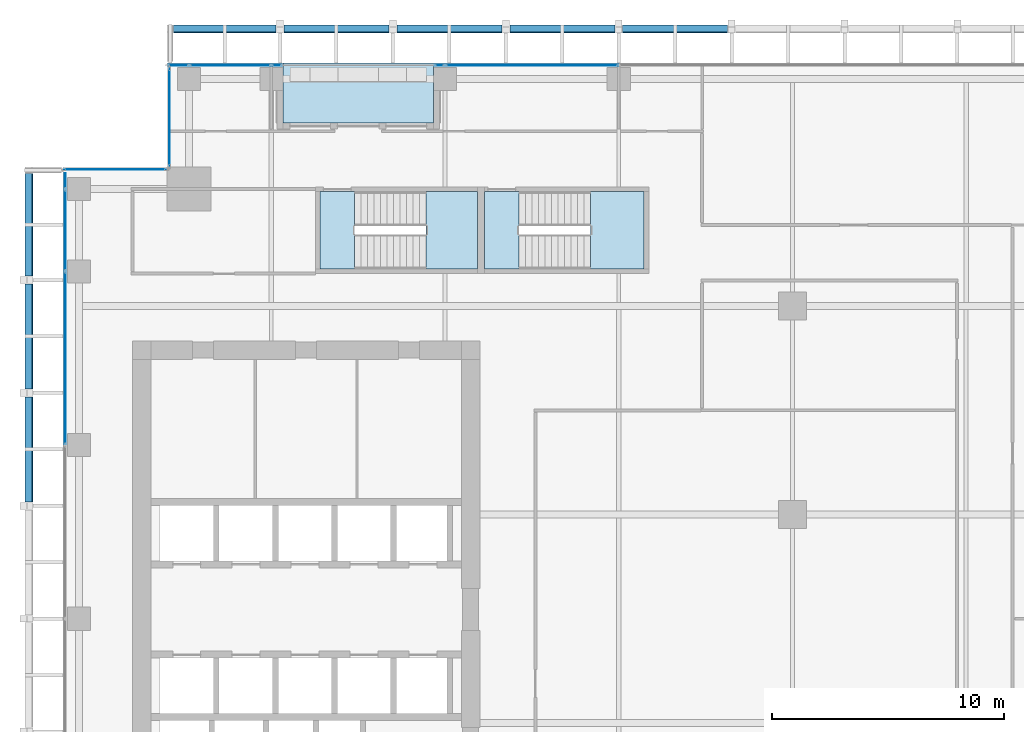
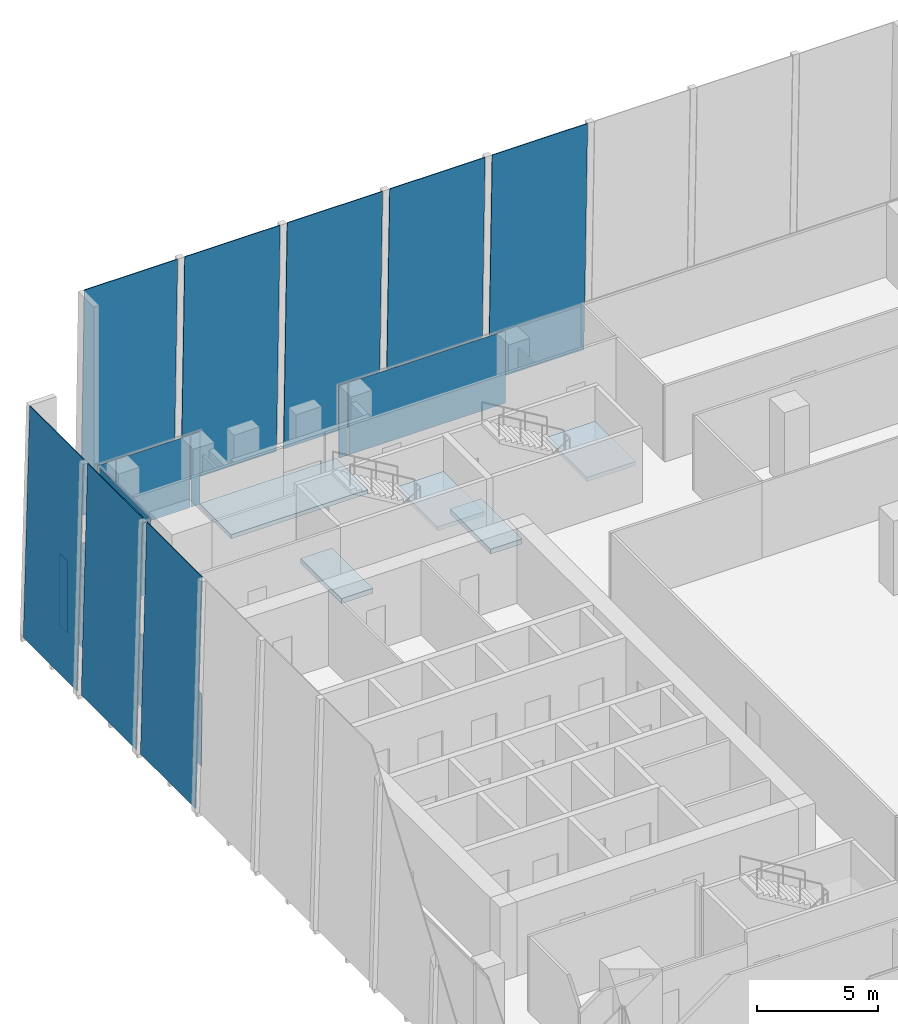
# One storey, part 26 of 35: 18 plates, 5 slabs, 7 elements without a shape of their own.
"""IFC4 building model written with IfcOpenShell, lengths in metres."""

from ifc_helpers import new_model, si_unit, direction, frame, origin, origin_2d, place, context, subcontext, project, spatial, polyline, rectangle, outline, extrude, source, transform, mapped, material, layer, layer_set, type_object, element, aggregate, save


model = new_model("IFC4")

# Units and contexts
model_context = context("Model", 3, precision=1e-05, world=origin(), true_north=direction((0.0, 1.0)))
body_context = subcontext(model_context, "Body", "Model", "MODEL_VIEW")
ifc_project = project(units=[si_unit("LENGTHUNIT", "METRE"), si_unit("AREAUNIT", "SQUARE_METRE"), si_unit("VOLUMEUNIT", "CUBIC_METRE"), si_unit("PLANEANGLEUNIT", "RADIAN"), si_unit("MASSUNIT", "GRAM", prefix="KILO")], contexts=[model_context])

# Site, building, storey
site_placement = place(None, origin())
site = spatial("IfcSite", under=ifc_project, at=site_placement, CompositionType="ELEMENT")
building_placement = place(site_placement, origin())
building = spatial("IfcBuilding", under=site, at=building_placement, Name="Khomas Fold Tower", CompositionType="ELEMENT")
storey_placement = place(building_placement, frame((0.0, 0.0, 200.699951171875)))
storey = spatial("IfcBuildingStorey", under=building, at=storey_placement, Name="L44", CompositionType="ELEMENT", Elevation=200.699951171875)

# Plates
ifc_material_1 = material(Name="Clear laminated glass", Category="glass")
ifc_layer_1 = layer(ifc_material_1, 0.0400390625)
ifc_layer_set_1 = layer_set([ifc_layer_1], Name="Clear laminated glass")
plate_type_1 = type_object("IfcPlateType", Name="SK-Clear laminated glass leaf", PredefinedType="SHEET", material=ifc_layer_set_1)
plate_1_placement = place(storey_placement, frame((7.77001953125, 52.642333984375, 0.0009765625), z_axis=(0.0, 0.999657230839, 0.026180543005), x_axis=(1.0, 0.0, 0.0)))
element("IfcPlate", 1, at=plate_1_placement, inside=storey, type_object=plate_type_1, Name="OUTER SKIN glass L44 N1", PredefinedType="SHEET", context=body_context, shape_type="SweptSolid", body=[
    extrude(outline(polyline([(0.0, 0.0), (4.43505859375, 0.0), (4.43505859375, -11.554009186164079), (0.0, -11.554009186164079), (0.0, 0.0)])), origin(), (0.0, 0.0, -1.0), 0.0400390625),
])
for number, where, z_axis, x_axis, name in (
    (2, (12.544921875, 52.642333984375, 0.0009765625), (0.0, 0.999657230839, 0.026180543005), (1.0, 0.0, 0.0), "OUTER SKIN glass L44 N3"),
    (3, (17.419921875, 52.642333984375, 0.0009765625), (0.0, 0.999657230839, 0.026180543005), (1.0, 0.0, 0.0), "OUTER SKIN glass L44 N5"),
    (4, (22.294921875, 52.642333984375, 0.0009765625), (0.0, 0.999657230839, 0.026180543005), (1.0, 0.0, 0.0), "OUTER SKIN glass L44 N7"),
    (5, (27.169921875, 52.642333984375, 0.0009765625), (0.0, 0.999657230839, 0.026180543005), (1.0, 0.0, 0.0), "OUTER SKIN glass L44 N9"),
    (6, (1.357666015625, 32.044921875, 0.0009765625), (-0.999657230839, 0.0, 0.026180543005), (0.0, 1.0, 0.0), "OUTER SKIN glass L44 W11"),
    (7, (1.357666015625, 36.919921875, 0.0009765625), (-0.999657230839, 0.0, 0.026180543005), (0.0, 1.0, 0.0), "OUTER SKIN glass L44 W13"),
):
    element("IfcPlate", number, at=place(storey_placement, frame(where, z_axis=z_axis, x_axis=x_axis)), inside=storey, type_object=plate_type_1, Name=name, PredefinedType="SHEET", context=body_context, shape_type="SweptSolid", body=[
        extrude(outline(polyline([(0.0, 0.0), (4.53515625, 0.0), (4.53515625, -11.554009186164079), (0.0, -11.554009186164079), (0.0, 0.0)])), origin(), (0.0, 0.0, -1.0), 0.0400390625),
    ])
plate_2_placement = place(storey_placement, frame((1.357666015625, 41.794921875, 0.0009765625), z_axis=(-0.999657230839, 0.0, 0.026180543005), x_axis=(0.0, 1.0, 0.0)))
element("IfcPlate", 8, at=plate_2_placement, inside=storey, type_object=plate_type_1, Name="OUTER SKIN glass L44 W15", PredefinedType="SHEET", context=body_context, shape_type="SweptSolid", body=[
    extrude(outline(polyline([(0.0, 0.0), (4.43505859375, 0.0), (4.43505859375, -11.554009186164079), (0.0, -11.554009186164079), (0.0, 0.0)])), origin(), (0.0, 0.0, -1.0), 0.0400390625),
])

# Curtain wall, plate
ifc_material_2 = material(Name="Aluminium framed double glazing", Category="aluminium")
curtain_wall_type = type_object("IfcCurtainWallType", Name="SK-Unitised clear-glass wall, office floors CW2", PredefinedType="NOTDEFINED", material=ifc_material_2)
curtain_wall_1_placement = place(storey_placement, origin())
curtain_wall_1 = element("IfcCurtainWall", 9, at=curtain_wall_1_placement, inside=storey, type_object=curtain_wall_type, Name="CW2 corner return L44 08", PredefinedType="NOTDEFINED")
ifc_material_3 = material(Name="Clear double glazed unit")
ifc_layer_2 = layer(ifc_material_3, 0.030029296875)
ifc_layer_set_2 = layer_set([ifc_layer_2], Name="Clear double glazed unit")
plate_type_2 = type_object("IfcPlateType", Name="SK-Unitised clear-glass wall, office floors glass panel CW2-P", PredefinedType="CURTAIN_PANEL", material=ifc_layer_set_2)
shared_shape_1 = source(origin(), body_context, "Body", "SweptSolid", [
    extrude(rectangle(XDim=4.3798828125, YDim=0.030029296875, at=origin_2d()), origin(), (0.0, 0.0, 1.0), 3.639892578125),
])
plate_3_placement = place(storey_placement, frame((5.25, 46.39990234375, 0.0), z_axis=(0.0, 0.0, 1.0), x_axis=(-1.0, 0.0, 0.0)))
plate_3 = element("IfcPlate", 10, at=plate_3_placement, type_object=plate_type_2, Name="CW2 glass panel 1", PredefinedType="CURTAIN_PANEL", context=body_context, shape_type="MappedRepresentation", body=[
    mapped(shared_shape_1, transform((0.0, 0.0, 0.0))),
])
aggregate(curtain_wall_1, [plate_3])

curtain_wall_2_placement = place(storey_placement, origin())
curtain_wall_2 = element("IfcCurtainWall", 11, at=curtain_wall_2_placement, inside=storey, type_object=curtain_wall_type, Name="CW2 run L44 09-0", PredefinedType="NOTDEFINED")
shared_shape_2 = source(origin(), body_context, "Body", "SweptSolid", [
    extrude(rectangle(XDim=0.659912109375, YDim=0.030029296875, at=origin_2d()), origin(), (0.0, 0.0, 1.0), 3.639892578125),
])
plate_4_placement = place(storey_placement, frame((3.10009765625, 45.909912109375, 0.0), z_axis=(0.0, 0.0, 1.0), x_axis=(0.0, -1.0, 0.0)))
plate_4 = element("IfcPlate", 12, at=plate_4_placement, type_object=plate_type_2, Name="CW2 glass panel 1", PredefinedType="CURTAIN_PANEL", context=body_context, shape_type="MappedRepresentation", body=[
    mapped(shared_shape_2, transform((0.0, 0.0, 0.0))),
])

curtain_wall_3_placement = place(storey_placement, origin())
curtain_wall_3 = element("IfcCurtainWall", 13, at=curtain_wall_3_placement, inside=storey, type_object=curtain_wall_type, Name="CW2 run L44 06-1", PredefinedType="NOTDEFINED")
shared_shape_3 = source(origin(), body_context, "Body", "SweptSolid", [
    extrude(rectangle(XDim=3.489990234375, YDim=0.030029296875, at=origin_2d()), origin(), (0.0, 0.0, 1.0), 3.639892578125),
])
plate_5_placement = place(storey_placement, frame((10.22509765625, 50.89990234375, 0.0), z_axis=(0.0, 0.0, 1.0), x_axis=(-1.0, 0.0, 0.0)))
plate_5 = element("IfcPlate", 14, at=plate_5_placement, type_object=plate_type_2, Name="CW2 glass panel 2", PredefinedType="CURTAIN_PANEL", context=body_context, shape_type="MappedRepresentation", body=[
    mapped(shared_shape_3, transform((0.0, 0.0, 0.0))),
])

# Plate
plate_6_placement = place(storey_placement, frame((3.10009765625, 43.77490234375, 0.0), z_axis=(0.0, 0.0, 1.0), x_axis=(0.0, -1.0, 0.0)))
plate_6 = element("IfcPlate", 15, at=plate_6_placement, type_object=plate_type_2, Name="CW2 glass panel 2", PredefinedType="CURTAIN_PANEL", context=body_context, shape_type="MappedRepresentation", body=[
    mapped(shared_shape_3, transform((0.0, 0.0, 0.0))),
])

# Curtain wall, plate
curtain_wall_4_placement = place(storey_placement, origin())
curtain_wall_4 = element("IfcCurtainWall", 16, at=curtain_wall_4_placement, inside=storey, type_object=curtain_wall_type, Name="CW2 run L44 06-0", PredefinedType="NOTDEFINED")
shared_shape_4 = source(origin(), body_context, "Body", "SweptSolid", [
    extrude(rectangle(XDim=7.43994140625, YDim=0.030029296875, at=origin_2d()), origin(), (0.0, 0.0, 1.0), 3.639892578125),
])
plate_7_placement = place(storey_placement, frame((23.25, 50.89990234375, 0.0), z_axis=(0.0, 0.0, 1.0), x_axis=(-1.0, 0.0, 0.0)))
plate_7 = element("IfcPlate", 17, at=plate_7_placement, type_object=plate_type_2, Name="CW2 glass panel 3", PredefinedType="CURTAIN_PANEL", context=body_context, shape_type="MappedRepresentation", body=[
    mapped(shared_shape_4, transform((0.0, 0.0, 0.0))),
])

# Plate
plate_8_placement = place(storey_placement, frame((3.10009765625, 38.25, 0.0), z_axis=(0.0, 0.0, 1.0), x_axis=(0.0, -1.0, 0.0)))
plate_8 = element("IfcPlate", 18, at=plate_8_placement, type_object=plate_type_2, Name="CW2 glass panel 3", PredefinedType="CURTAIN_PANEL", context=body_context, shape_type="MappedRepresentation", body=[
    mapped(shared_shape_4, transform((0.0, 0.0, 0.0))),
])

aggregate(curtain_wall_2, [plate_4, plate_6, plate_8])

# Curtain wall, plate
curtain_wall_5_placement = place(storey_placement, origin())
curtain_wall_5 = element("IfcCurtainWall", 19, at=curtain_wall_5_placement, inside=storey, type_object=curtain_wall_type, Name="CW2 corner return L44 07", PredefinedType="NOTDEFINED")
shared_shape_5 = source(origin(), body_context, "Body", "SweptSolid", [
    extrude(rectangle(XDim=4.179931640625, YDim=0.030029296875, at=origin_2d()), origin(), (0.0, 0.0, 1.0), 3.639892578125),
])
plate_9_placement = place(storey_placement, frame((7.60009765625, 48.64990234375, 0.0), z_axis=(0.0, 0.0, 1.0), x_axis=(0.0, -1.0, 0.0)))
plate_9 = element("IfcPlate", 20, at=plate_9_placement, type_object=plate_type_2, Name="CW2 glass panel 1", PredefinedType="CURTAIN_PANEL", context=body_context, shape_type="MappedRepresentation", body=[
    mapped(shared_shape_5, transform((0.0, 0.0, 0.0))),
])
aggregate(curtain_wall_5, [plate_9])

# Plate
shared_shape_6 = source(origin(), body_context, "Body", "SweptSolid", [
    extrude(rectangle(XDim=0.409912109375, YDim=0.030029296875, at=origin_2d()), origin(), (0.0, 0.0, 1.0), 3.639892578125),
])
plate_10_placement = place(storey_placement, frame((19.264892578125, 50.89990234375, 0.0), z_axis=(0.0, 0.0, 1.0), x_axis=(-1.0, 0.0, 0.0)))
plate_10 = element("IfcPlate", 21, at=plate_10_placement, type_object=plate_type_2, Name="CW2 glass panel 4", PredefinedType="CURTAIN_PANEL", context=body_context, shape_type="MappedRepresentation", body=[
    mapped(shared_shape_6, transform((0.0, 0.0, 0.0))),
])

aggregate(curtain_wall_4, [plate_7, plate_10])

plate_11_placement = place(storey_placement, frame((12.235107421875, 50.89990234375, 0.0), z_axis=(0.0, 0.0, 1.0), x_axis=(-1.0, 0.0, 0.0)))
plate_11 = element("IfcPlate", 22, at=plate_11_placement, type_object=plate_type_2, Name="CW2 glass panel 1", PredefinedType="CURTAIN_PANEL", context=body_context, shape_type="MappedRepresentation", body=[
    mapped(shared_shape_6, transform((0.0, 0.0, 0.0))),
])

shared_shape_7 = source(origin(), body_context, "Body", "SweptSolid", [
    extrude(rectangle(XDim=0.860107421875, YDim=0.030029296875, at=origin_2d()), origin(), (0.0, 0.0, 1.0), 3.639892578125),
])
plate_12_placement = place(storey_placement, frame((7.989990234375, 50.89990234375, 0.0), z_axis=(0.0, 0.0, 1.0), x_axis=(-1.0, 0.0, 0.0)))
plate_12 = element("IfcPlate", 23, at=plate_12_placement, type_object=plate_type_2, Name="CW2 glass panel 3", PredefinedType="CURTAIN_PANEL", context=body_context, shape_type="MappedRepresentation", body=[
    mapped(shared_shape_7, transform((0.0, 0.0, 0.0))),
])

aggregate(curtain_wall_3, [plate_11, plate_5, plate_12])

# Slab
ifc_material_4 = material(Name="Concrete C40/50", Category="concrete")
ifc_layer_3 = layer(ifc_material_4, 0.205078125)
ifc_layer_set_3 = layer_set([ifc_layer_3], Name="Concrete C40/50")
slab_type_1 = type_object("IfcSlabType", Name="BL-Balcony deck 205", PredefinedType="FLOOR", material=ifc_layer_set_3)
shared_shape_8 = source(origin(), body_context, "Body", "SweptSolid", [
    extrude(outline(polyline([(12.5, 48.39990234375), (19.0, 48.39990234375), (19.0, 51.0), (12.5, 51.0), (12.5, 48.39990234375)])), origin(), (0.0, 0.0, 1.0), 0.205078125),
])
slab_1_placement = place(storey_placement, frame((0.0, 0.0, -0.25)))
element("IfcSlab", 24, at=slab_1_placement, inside=storey, type_object=slab_type_1, Name="Balcony deck BAL-L44-N1", PredefinedType="FLOOR", context=body_context, shape_type="MappedRepresentation", body=[
    mapped(shared_shape_8, transform((0.0, 0.0, 0.0))),
])

# Stair, slab
ifc_material_5 = material(Name="Concrete C40/50", Category="concrete")
stair_type_1 = type_object("IfcStairType", Name="Stair ST1", PredefinedType="HALF_TURN_STAIR", material=ifc_material_5)
stair_1_placement = place(storey_placement, origin())
stair_1 = element("IfcStair", 25, at=stair_1_placement, inside=storey, type_object=stair_type_1, Name="L44 ST1", PredefinedType="HALF_TURN_STAIR")
ifc_material_6 = material(Name="Concrete C40/50", Category="concrete")
ifc_layer_4 = layer(ifc_material_6, 0.199951171875)
ifc_layer_set_4 = layer_set([ifc_layer_4], Name="Concrete C40/50")
slab_type_2 = type_object("IfcSlabType", Name="Stair landing 200", PredefinedType="LANDING", material=ifc_layer_set_4)
shared_shape_9 = source(origin(), body_context, "Body", "SweptSolid", [
    extrude(outline(polyline([(18.679931640625, 42.10009765625), (20.89990234375, 42.10009765625), (20.89990234375, 45.449951171875), (18.679931640625, 45.449951171875), (18.679931640625, 42.10009765625)])), origin(), (0.0, 0.0, 1.0), 0.199951171875),
])
slab_2_placement = place(storey_placement, frame((0.0, 0.0, 1.800048828125)))
slab_2 = element("IfcSlab", 26, at=slab_2_placement, type_object=slab_type_2, Name="ST1 landing 1", PredefinedType="LANDING", context=body_context, shape_type="MappedRepresentation", body=[
    mapped(shared_shape_9, transform((0.0, 0.0, 0.0))),
])
aggregate(stair_1, [slab_2])

# Slab
ifc_material_7 = material(Name="Concrete C40/50", Category="concrete")
ifc_layer_5 = layer(ifc_material_7, 0.25)
ifc_layer_set_5 = layer_set([ifc_layer_5], Name="Concrete C40/50")
slab_type_3 = type_object("IfcSlabType", Name="Stair floor landing 250", PredefinedType="LANDING", material=ifc_layer_set_5)
shared_shape_10 = source(origin(), body_context, "Body", "SweptSolid", [
    extrude(outline(polyline([(15.60009765625, 42.10009765625), (14.10009765625, 42.10009765625), (14.10009765625, 45.449951171875), (15.60009765625, 45.449951171875), (15.60009765625, 42.10009765625)])), origin(), (0.0, 0.0, 1.0), 0.25),
])
slab_3_placement = place(storey_placement, frame((0.0, 0.0, -0.25)))
element("IfcSlab", 27, at=slab_3_placement, inside=storey, type_object=slab_type_3, Name="ST1 floor landing", PredefinedType="LANDING", context=body_context, shape_type="MappedRepresentation", body=[
    mapped(shared_shape_10, transform((0.0, 0.0, 0.0))),
])

# Stair, slab
ifc_material_8 = material(Name="Concrete C40/50", Category="concrete")
stair_type_2 = type_object("IfcStairType", Name="Stair ST3", PredefinedType="HALF_TURN_STAIR", material=ifc_material_8)
stair_2_placement = place(storey_placement, origin())
stair_2 = element("IfcStair", 28, at=stair_2_placement, inside=storey, type_object=stair_type_2, Name="L44 ST3", PredefinedType="HALF_TURN_STAIR")
shared_shape_11 = source(origin(), body_context, "Body", "SweptSolid", [
    extrude(outline(polyline([(25.780029296875, 42.10009765625), (28.10009765625, 42.10009765625), (28.10009765625, 45.449951171875), (25.780029296875, 45.449951171875), (25.780029296875, 42.10009765625)])), origin(), (0.0, 0.0, 1.0), 0.199951171875),
])
slab_4_placement = place(storey_placement, frame((0.0, 0.0, 1.800048828125)))
slab_4 = element("IfcSlab", 29, at=slab_4_placement, type_object=slab_type_2, Name="ST3 landing 1", PredefinedType="LANDING", context=body_context, shape_type="MappedRepresentation", body=[
    mapped(shared_shape_11, transform((0.0, 0.0, 0.0))),
])
aggregate(stair_2, [slab_4])

# Slab
shared_shape_12 = source(origin(), body_context, "Body", "SweptSolid", [
    extrude(outline(polyline([(22.699951171875, 42.10009765625), (21.199951171875, 42.10009765625), (21.199951171875, 45.449951171875), (22.699951171875, 45.449951171875), (22.699951171875, 42.10009765625)])), origin(), (0.0, 0.0, 1.0), 0.25),
])
slab_5_placement = place(storey_placement, frame((0.0, 0.0, -0.25)))
element("IfcSlab", 30, at=slab_5_placement, inside=storey, type_object=slab_type_3, Name="ST3 floor landing", PredefinedType="LANDING", context=body_context, shape_type="MappedRepresentation", body=[
    mapped(shared_shape_12, transform((0.0, 0.0, 0.0))),
])

save(model, "model.ifc")
